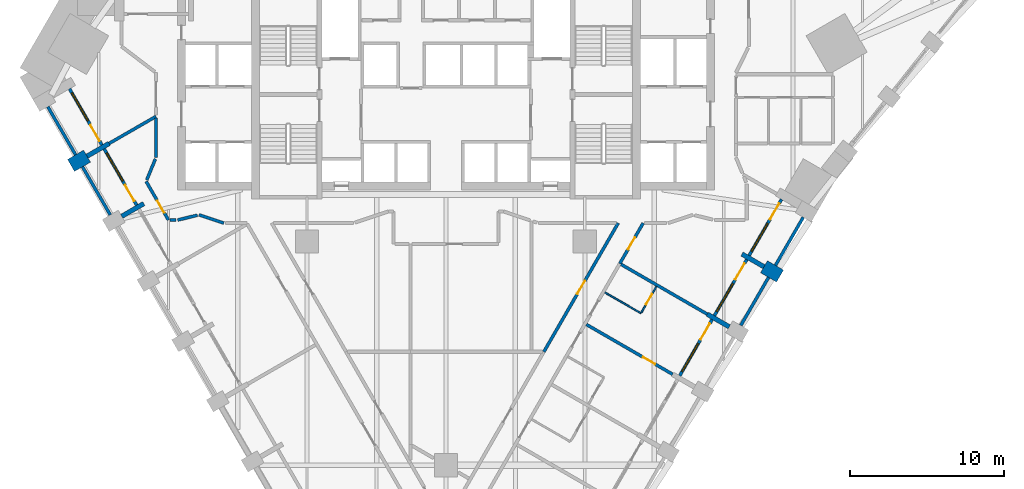
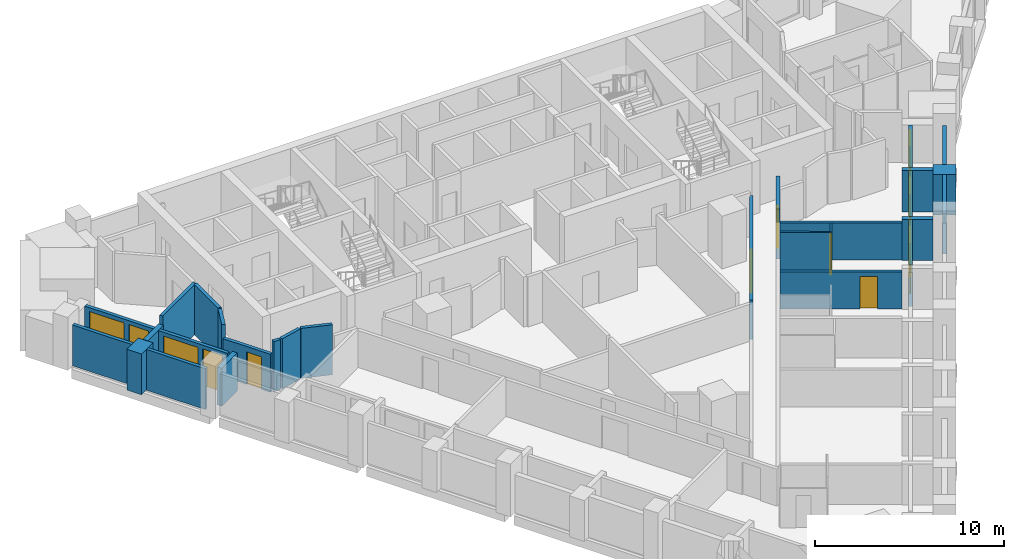
# One storey, part 5 of 11: 28 walls, 10 doors, 5 windows, 15 openings.
"""IFC4 building model written with IfcOpenShell, lengths in metres."""

from ifc_helpers import new_model, si_unit, direction, frame, frame_2d, origin, place, context, subcontext, project, spatial, polyline, rectangle, outline, extrude, material, layer, layer_set, type_object, element, fill, save


model = new_model("IFC4")

# Units and contexts
model_context = context("Model", 3, precision=1e-05, world=origin(), true_north=direction((0.0, 1.0)))
body_context = subcontext(model_context, "Body", "Model", "MODEL_VIEW")
ifc_project = project(units=[si_unit("LENGTHUNIT", "METRE"), si_unit("AREAUNIT", "SQUARE_METRE"), si_unit("VOLUMEUNIT", "CUBIC_METRE"), si_unit("PLANEANGLEUNIT", "RADIAN"), si_unit("MASSUNIT", "GRAM", prefix="KILO")], contexts=[model_context])

# Site, building, storey
site_placement = place(None, origin())
site = spatial("IfcSite", under=ifc_project, at=site_placement, CompositionType="ELEMENT")
building_placement = place(site_placement, origin())
building = spatial("IfcBuilding", under=site, at=building_placement, Name="Calabash Gate Tower", CompositionType="ELEMENT")
storey_placement = place(building_placement, frame((0.0, 0.0, 115.60009765625)))
storey = spatial("IfcBuildingStorey", under=building, at=storey_placement, Name="L26", CompositionType="ELEMENT", Elevation=115.60009765625)

# Walls
ifc_material_1 = material(Name="Terracotta brick masonry, exposed face", Category="masonry")
ifc_layer_1 = layer(ifc_material_1, 1.199951171875)
ifc_layer_set_1 = layer_set([ifc_layer_1], Name="Brick end wall 1200")
wall_type_1 = type_object("IfcWallType", Name="Brick end wall 1200", PredefinedType="SOLIDWALL", material=ifc_layer_set_1)
for number, where, z_axis, x_axis, name in (
    (1, (-24.30859375, 7.43896484375, 0.0), (0.0, 0.0, 1.0), (0.865955154139, 0.50012165622, 0.0), "Brick pier S07 SW0.1"),
    (2, (21.656494140625, 0.27197265625, 0.0), (0.0, 0.0, 1.0), (-0.866094119867, 0.499880961361, 0.0), "Brick pier S07 SE2.7"),
):
    element("IfcWall", number, at=place(storey_placement, frame(where, z_axis=z_axis, x_axis=x_axis)), inside=storey, type_object=wall_type_1, Name=name, PredefinedType="SOLIDWALL", context=body_context, shape_type="SweptSolid", body=[
        extrude(rectangle(XDim=1.199951171875, YDim=0.89990234375, at=frame_2d((0.60009765625, 0.0))), origin(), (0.0, 0.0, 1.0), 2.6298828125),
    ])
ifc_material_2 = material(Name="Terracotta brick masonry, exposed face", Category="masonry")
ifc_layer_2 = layer(ifc_material_2, 0.300048828125)
ifc_layer_set_2 = layer_set([ifc_layer_2], Name="Brick loggia cheek wall 300")
wall_type_2 = type_object("IfcWallType", Name="Brick loggia cheek wall 300", PredefinedType="SOLIDWALL", material=ifc_layer_set_2)
wall_1_placement = place(storey_placement, frame((-23.26953125, 8.0390625, 0.0), z_axis=(0.0, 0.0, 1.0), x_axis=(0.866040211805, 0.499974350878, 0.0)))
element("IfcWall", 3, at=wall_1_placement, inside=storey, type_object=wall_type_2, Name="Loggia cheek S07 SW0.1", PredefinedType="SOLIDWALL", context=body_context, shape_type="SweptSolid", body=[
    extrude(rectangle(XDim=1.64990234375, YDim=0.300048828125, at=frame_2d((0.824951171875, 0.0))), origin(), (0.0, 0.0, 1.0), 2.64990234375),
])
wall_2_placement = place(storey_placement, frame((-21.019287109375, 4.141845703125, 0.0), z_axis=(0.0, 0.0, 1.0), x_axis=(0.866003217194, 0.500038426333, 0.0)))
element("IfcWall", 4, at=wall_2_placement, inside=storey, type_object=wall_type_2, Name="Loggia cheek S07 SW0.2", PredefinedType="SOLIDWALL", context=body_context, shape_type="SweptSolid", body=[
    extrude(rectangle(XDim=1.649658203125, YDim=0.300048828125, at=frame_2d((0.82470703125, 0.0))), origin(), (0.0, 0.0, 1.0), 2.449951171875),
])
wall_3_placement = place(storey_placement, frame((18.366455078125, -3.024658203125, 0.0), z_axis=(0.0, 0.0, 1.0), x_axis=(-0.866057395165, 0.499944585209, 0.0)))
element("IfcWall", 5, at=wall_3_placement, inside=storey, type_object=wall_type_2, Name="Loggia cheek S07 SE2.6", PredefinedType="SOLIDWALL", context=body_context, shape_type="SweptSolid", body=[
    extrude(rectangle(XDim=1.649169921875, YDim=0.300048828125, at=frame_2d((0.82470703125, 0.0))), origin(), (0.0, 0.0, 1.0), 2.64990234375),
])
wall_4_placement = place(storey_placement, frame((20.6171875, 0.871826171875, 0.0), z_axis=(0.0, 0.0, 1.0), x_axis=(-0.866040211805, 0.499974350878, 0.0)))
element("IfcWall", 6, at=wall_4_placement, inside=storey, type_object=wall_type_2, Name="Loggia cheek S07 SE2.7", PredefinedType="SOLIDWALL", context=body_context, shape_type="SweptSolid", body=[
    extrude(rectangle(XDim=1.64990234375, YDim=0.300048828125, at=frame_2d((0.824951171875, 0.0))), origin(), (0.0, 0.0, 1.0), 2.64990234375),
])

# Wall, opening, door
ifc_material_3 = material(Name="Gypsum board on steel studs, mineral wool", Category="steel")
ifc_layer_3 = layer(ifc_material_3, 0.10009765625)
ifc_layer_set_3 = layer_set([ifc_layer_3], Name="Partition 100 gypsum board")
wall_type_3 = type_object("IfcWallType", Name="Partition 100 gypsum board", PredefinedType="PARTITIONING", material=ifc_layer_set_3)
wall_5_placement = place(storey_placement, frame((12.665771484375, -2.1005859375, 0.0), z_axis=(0.0, 0.0, 1.0), x_axis=(0.49995005938, 0.866054235095, 0.0)))
wall_5 = element("IfcWall", 7, at=wall_5_placement, inside=storey, type_object=wall_type_3, Name="Partition", PredefinedType="PARTITIONING", context=body_context, shape_type="SweptSolid", body=[
    extrude(rectangle(XDim=1.949951171875, YDim=0.10009765625, at=frame_2d((0.97509765625, 0.0))), origin(), (0.0, 0.0, 1.0), 2.384033203125),
])
opening_1_placement = place(wall_5_placement, frame((0.60009765625, 0.0, 0.0)))
opening_1 = element("IfcOpeningElement", 8, at=opening_1_placement, cuts=wall_5, Name="Opening 25-27-009", PredefinedType="OPENING", context=body_context, shape_type="SweptSolid", body=[
    extrude(rectangle(XDim=0.800048828125, YDim=2.10009765625, at=frame_2d((0.39990234375, 1.050048828125))), frame((0.0, 0.06005859375, 0.0), z_axis=(0.0, -1.0, 0.0), x_axis=(1.0, 0.0, 0.0)), (0.0, 0.0, 1.0), 0.1201171875),
])
ifc_material_4 = material(Name="Painted timber door", Category="wood")
door_type_1 = type_object("IfcDoorType", Name="GD5 En-suite door 800x2100", OperationType="NOTDEFINED", PredefinedType="DOOR", material=ifc_material_4)
door_1_placement = place(opening_1_placement, origin())
door_1 = element("IfcDoor", 9, at=door_1_placement, inside=storey, type_object=door_type_1, Name="En-suite door", OperationType="SINGLE_SWING_RIGHT", OverallHeight=2.10009765625, OverallWidth=0.800048828125, PredefinedType="DOOR", context=body_context, shape_type="SweptSolid", body=[
    extrude(rectangle(XDim=0.800048828125, YDim=2.10009765625, at=frame_2d((0.39990234375, 1.050048828125))), frame((0.0, 0.02490234375, 0.0), z_axis=(0.0, -1.0, 0.0), x_axis=(1.0, 0.0, 0.0)), (0.0, 0.0, 1.0), 0.050048828125),
])
fill(opening_1, door_1)

# Wall
wall_6_placement = place(storey_placement, frame((10.303466796875, -0.79248046875, 0.0), z_axis=(0.0, 0.0, 1.0), x_axis=(0.86571095196, -0.500544251447, 0.0)))
element("IfcWall", 10, at=wall_6_placement, inside=storey, type_object=wall_type_3, Name="Partition", PredefinedType="PARTITIONING", context=body_context, shape_type="SweptSolid", body=[
    extrude(rectangle(XDim=2.69970703125, YDim=0.10009765625, at=frame_2d((1.349853515625, 0.0))), origin(), (0.0, 0.0, 1.0), 3.22998046875),
])

# Wall, opening, door
ifc_material_5 = material(Name="Gypsum board on steel studs, mineral wool", Category="steel")
ifc_layer_4 = layer(ifc_material_5, 0.199951171875)
ifc_layer_set_4 = layer_set([ifc_layer_4], Name="Partition 200 gypsum board EI 60")
wall_type_4 = type_object("IfcWallType", Name="Partition 200 gypsum board EI 60", PredefinedType="PARTITIONING", material=ifc_layer_set_4)
wall_7_placement = place(storey_placement, frame((6.347900390625, -4.639404296875, 0.0), z_axis=(0.0, 0.0, 1.0), x_axis=(0.500160597015, 0.865932663198, 0.0)))
wall_7 = element("IfcWall", 11, at=wall_7_placement, inside=storey, type_object=wall_type_4, Name="Partition", PredefinedType="PARTITIONING", context=body_context, shape_type="SweptSolid", body=[
    extrude(rectangle(XDim=9.630126953125, YDim=0.199951171875, at=frame_2d((4.81494140625, 0.0))), origin(), (0.0, 0.0, 1.0), 2.5517578125),
])
opening_2_placement = place(wall_7_placement, frame((4.314697265625, 0.0, 0.0)))
opening_2 = element("IfcOpeningElement", 12, at=opening_2_placement, cuts=wall_7, Name="Opening 25-27-013", PredefinedType="OPENING", context=body_context, shape_type="SweptSolid", body=[
    extrude(rectangle(XDim=1.0, YDim=2.10009765625, at=frame_2d((0.5, 1.050048828125))), frame((0.0, 0.10986328125, 0.0), z_axis=(0.0, -1.0, 0.0), x_axis=(1.0, 0.0, 0.0)), (0.0, 0.0, 1.0), 0.219970703125),
])
ifc_material_6 = material(Name="Steel fire door set with fire-resisting glazing", Category="steel")
door_type_2 = type_object("IfcDoorType", Name="LD2 Meeting room door 1000x2100", OperationType="NOTDEFINED", PredefinedType="DOOR", material=ifc_material_6)
door_2_placement = place(opening_2_placement, origin())
door_2 = element("IfcDoor", 13, at=door_2_placement, inside=storey, type_object=door_type_2, Name="Meeting room door", OperationType="SINGLE_SWING_LEFT", OverallHeight=2.10009765625, OverallWidth=1.0, PredefinedType="DOOR", context=body_context, shape_type="SweptSolid", body=[
    extrude(rectangle(XDim=1.0, YDim=2.10009765625, at=frame_2d((0.5, 1.050048828125))), frame((0.0, 0.02490234375, 0.0), z_axis=(0.0, -1.0, 0.0), x_axis=(1.0, 0.0, 0.0)), (0.0, 0.0, 1.0), 0.050048828125),
])
fill(opening_2, door_2)

wall_8_placement = place(storey_placement, frame((9.103515625, -2.870849609375, 0.0), z_axis=(0.0, 0.0, 1.0), x_axis=(0.865901871826, -0.500213902613, 0.0)))
wall_8 = element("IfcWall", 14, at=wall_8_placement, inside=storey, type_object=wall_type_4, Name="Partition", PredefinedType="PARTITIONING", context=body_context, shape_type="SweptSolid", body=[
    extrude(rectangle(XDim=6.449951171875, YDim=0.199951171875, at=frame_2d((3.22509765625, 0.0))), origin(), (0.0, 0.0, 1.0), 2.384033203125),
])
opening_3_placement = place(wall_8_placement, frame((4.249755859375, 0.0, 0.0)))
opening_3 = element("IfcOpeningElement", 15, at=opening_3_placement, cuts=wall_8, Name="Opening 25-27-010", PredefinedType="OPENING", context=body_context, shape_type="SweptSolid", body=[
    extrude(rectangle(XDim=0.89990234375, YDim=2.10009765625, at=frame_2d((0.449951171875, 1.050048828125))), frame((0.0, 0.10986328125, 0.0), z_axis=(0.0, -1.0, 0.0), x_axis=(1.0, 0.0, 0.0)), (0.0, 0.0, 1.0), 0.219970703125),
])
ifc_material_7 = material(Name="Steel fire door set with fire-resisting glazing", Category="steel")
door_type_3 = type_object("IfcDoorType", Name="GD4 Connecting door 900x2100", OperationType="NOTDEFINED", PredefinedType="DOOR", material=ifc_material_7)
door_3_placement = place(opening_3_placement, origin())
door_3 = element("IfcDoor", 16, at=door_3_placement, inside=storey, type_object=door_type_3, Name="Connecting door", OperationType="SINGLE_SWING_RIGHT", OverallHeight=2.10009765625, OverallWidth=0.89990234375, PredefinedType="DOOR", context=body_context, shape_type="SweptSolid", body=[
    extrude(rectangle(XDim=0.89990234375, YDim=2.10009765625, at=frame_2d((0.449951171875, 1.050048828125))), frame((0.0, 0.02490234375, 0.0), z_axis=(0.0, -1.0, 0.0), x_axis=(1.0, 0.0, 0.0)), (0.0, 0.0, 1.0), 0.050048828125),
])
fill(opening_3, door_3)

# Walls
wall_9_placement = place(storey_placement, frame((11.355224609375, 1.025390625, 0.0), z_axis=(0.0, 0.0, 1.0), x_axis=(0.865748417306, -0.500479448062, 0.0)))
element("IfcWall", 17, at=wall_9_placement, inside=storey, type_object=wall_type_4, Name="Partition", PredefinedType="PARTITIONING", context=body_context, shape_type="SweptSolid", body=[
    extrude(rectangle(XDim=6.447998046875, YDim=0.199951171875, at=frame_2d((3.22412109375, 0.0))), origin(), (0.0, 0.0, 1.0), 2.384033203125),
])
wall_10_placement = place(storey_placement, frame((-16.01611328125, 4.23828125, 0.0), z_axis=(0.0, 0.0, 1.0), x_axis=(0.948654629562, -0.31631375849, 0.0)))
element("IfcWall", 18, at=wall_10_placement, inside=storey, type_object=wall_type_4, Name="Partition", PredefinedType="PARTITIONING", context=body_context, shape_type="SweptSolid", body=[
    extrude(rectangle(XDim=1.703369140625, YDim=0.199951171875, at=frame_2d((0.8515625, 0.0))), origin(), (0.0, 0.0, 1.0), 3.22998046875),
])

# Wall, opening, door
wall_11_placement = place(storey_placement, frame((11.2685546875, 1.075439453125, 0.0), z_axis=(0.0, 0.0, 1.0), x_axis=(0.499554983499, 0.866282181775, 0.0)))
wall_11 = element("IfcWall", 19, at=wall_11_placement, inside=storey, type_object=wall_type_4, Name="Partition", PredefinedType="PARTITIONING", context=body_context, shape_type="SweptSolid", body=[
    extrude(rectangle(XDim=3.029052734375, YDim=0.199951171875, at=frame_2d((1.5146484375, 0.0))), origin(), (0.0, 0.0, 1.0), 3.22998046875),
])
opening_4_placement = place(wall_11_placement, frame((1.063720703125, 0.0, 0.0)))
opening_4 = element("IfcOpeningElement", 20, at=opening_4_placement, cuts=wall_11, Name="Opening 25-27-025", PredefinedType="OPENING", context=body_context, shape_type="SweptSolid", body=[
    extrude(rectangle(XDim=0.89990234375, YDim=2.10009765625, at=frame_2d((0.449951171875, 1.050048828125))), frame((0.0, 0.10986328125, 0.0), z_axis=(0.0, -1.0, 0.0), x_axis=(1.0, 0.0, 0.0)), (0.0, 0.0, 1.0), 0.219970703125),
])
ifc_material_8 = material(Name="Steel fire door set with fire-resisting glazing", Category="steel")
door_type_4 = type_object("IfcDoorType", Name="SD3 Store door 900x2100", OperationType="NOTDEFINED", PredefinedType="DOOR", material=ifc_material_8)
door_4_placement = place(opening_4_placement, origin())
door_4 = element("IfcDoor", 21, at=door_4_placement, inside=storey, type_object=door_type_4, Name="Store door", OperationType="SINGLE_SWING_RIGHT", OverallHeight=2.10009765625, OverallWidth=0.89990234375, PredefinedType="DOOR", context=body_context, shape_type="SweptSolid", body=[
    extrude(rectangle(XDim=0.89990234375, YDim=2.10009765625, at=frame_2d((0.449951171875, 1.050048828125))), frame((0.0, 0.02490234375, 0.0), z_axis=(0.0, -1.0, 0.0), x_axis=(1.0, 0.0, 0.0)), (0.0, 0.0, 1.0), 0.050048828125),
])
fill(opening_4, door_4)

wall_12_placement = place(storey_placement, frame((-19.438720703125, 6.403076171875, 0.0), z_axis=(0.0, 0.0, 1.0), x_axis=(0.500017289984, -0.866015421177, 0.0)))
wall_12 = element("IfcWall", 22, at=wall_12_placement, inside=storey, type_object=wall_type_4, Name="Partition", PredefinedType="PARTITIONING", context=body_context, shape_type="SweptSolid", body=[
    extrude(rectangle(XDim=2.89111328125, YDim=0.199951171875, at=frame_2d((1.445556640625, 0.0))), origin(), (0.0, 0.0, 1.0), 2.449951171875),
])
opening_5_placement = place(wall_12_placement, frame((1.445556640625, 0.0, 0.0)))
opening_5 = element("IfcOpeningElement", 23, at=opening_5_placement, cuts=wall_12, Name="Opening 25-27-023", PredefinedType="OPENING", context=body_context, shape_type="SweptSolid", body=[
    extrude(rectangle(XDim=0.89990234375, YDim=2.10009765625, at=frame_2d((0.449951171875, 1.050048828125))), frame((0.0, 0.10986328125, 0.0), z_axis=(0.0, -1.0, 0.0), x_axis=(1.0, 0.0, 0.0)), (0.0, 0.0, 1.0), 0.219970703125),
])
door_5_placement = place(opening_5_placement, origin())
door_5 = element("IfcDoor", 24, at=door_5_placement, inside=storey, type_object=door_type_4, Name="Store door", OperationType="SINGLE_SWING_RIGHT", OverallHeight=2.10009765625, OverallWidth=0.89990234375, PredefinedType="DOOR", context=body_context, shape_type="SweptSolid", body=[
    extrude(rectangle(XDim=0.89990234375, YDim=2.10009765625, at=frame_2d((0.449951171875, 1.050048828125))), frame((0.0, 0.02490234375, 0.0), z_axis=(0.0, -1.0, 0.0), x_axis=(1.0, 0.0, 0.0)), (0.0, 0.0, 1.0), 0.050048828125),
])
fill(opening_5, door_5)

# Walls
wall_13_placement = place(storey_placement, frame((-17.893310546875, 3.8994140625, 0.0), z_axis=(0.0, 0.0, 1.0), x_axis=(1.0, 0.0, 0.0)))
element("IfcWall", 25, at=wall_13_placement, inside=storey, type_object=wall_type_4, Name="Partition", PredefinedType="PARTITIONING", context=body_context, shape_type="SweptSolid", body=[
    extrude(rectangle(XDim=0.393310546875, YDim=0.199951171875, at=frame_2d((0.19677734375, 0.0))), origin(), (0.0, 0.0, 1.0), 3.22998046875),
])
wall_14_placement = place(storey_placement, frame((-17.39990234375, 3.8994140625, 0.0), z_axis=(0.0, 0.0, 1.0), x_axis=(0.971323377413, 0.237762268854, 0.0)))
element("IfcWall", 26, at=wall_14_placement, inside=storey, type_object=wall_type_4, Name="Partition", PredefinedType="PARTITIONING", context=body_context, shape_type="SweptSolid", body=[
    extrude(rectangle(XDim=1.32470703125, YDim=0.199951171875, at=frame_2d((0.662353515625, 0.0))), origin(), (0.0, 0.0, 1.0), 3.22998046875),
])
wall_15_placement = place(storey_placement, frame((-19.400390625, 6.49560546875, 0.0), z_axis=(0.0, 0.0, 1.0), x_axis=(0.380699876076, 0.924698655971, 0.0)))
element("IfcWall", 27, at=wall_15_placement, inside=storey, type_object=wall_type_4, Name="Partition", PredefinedType="PARTITIONING", context=body_context, shape_type="SweptSolid", body=[
    extrude(rectangle(XDim=1.4755859375, YDim=0.199951171875, at=frame_2d((0.73779296875, 0.0))), origin(), (0.0, 0.0, 1.0), 3.22998046875),
])
wall_16_placement = place(storey_placement, frame((-18.802001953125, 10.51806640625, 0.0), z_axis=(0.0, 0.0, 1.0), x_axis=(0.000570993436, -0.999999836983, 0.0)))
element("IfcWall", 28, at=wall_16_placement, inside=storey, type_object=wall_type_4, Name="Partition", PredefinedType="PARTITIONING", context=body_context, shape_type="SweptSolid", body=[
    extrude(rectangle(XDim=2.5654296875, YDim=0.199951171875, at=frame_2d((1.28271484375, 0.0))), origin(), (0.0, 0.0, 1.0), 3.22998046875),
])
wall_17_placement = place(storey_placement, frame((-21.84033203125, 8.86376953125, 0.0), z_axis=(0.0, 0.0, 1.0), x_axis=(0.866284025074, 0.499551787007, 0.0)))
element("IfcWall", 29, at=wall_17_placement, inside=storey, type_object=wall_type_4, Name="Partition", PredefinedType="PARTITIONING", context=body_context, shape_type="SweptSolid", body=[
    extrude(rectangle(XDim=3.509033203125, YDim=0.199951171875, at=frame_2d((1.75439453125, 0.0))), origin(), (0.0, 0.0, 1.0), 3.22998046875),
])
ifc_material_9 = material(Name="Terracotta brick masonry, perforated", Category="masonry")
ifc_layer_5 = layer(ifc_material_9, 0.199951171875)
ifc_layer_set_5 = layer_set([ifc_layer_5], Name="Terracotta jaali screen A")
wall_type_5 = type_object("IfcWallType", Name="Terracotta jaali screen A", PredefinedType="SOLIDWALL", material=ifc_layer_set_5)
for number, where, z_axis, x_axis, name in (
    (30, (-25.81396484375, 11.246337890625, 0.0), (0.0, 0.0, 1.0), (0.500012057535, -0.866018442252, 0.0), "SCREEN A S07 SW0.1"),
    (31, (-23.56396484375, 7.34912109375, 0.0), (0.0, 0.0, 1.0), (0.500012057535, -0.866018442252, 0.0), "SCREEN A S07 SW0.2"),
):
    element("IfcWall", number, at=place(storey_placement, frame(where, z_axis=z_axis, x_axis=x_axis)), inside=storey, type_object=wall_type_5, Name=name, PredefinedType="SOLIDWALL", context=body_context, shape_type="SweptSolid", body=[
        extrude(rectangle(XDim=3.60009765625, YDim=0.199951171875, at=frame_2d((1.800048828125, 0.0))), origin(), (0.0, 0.0, 1.0), 2.6298828125),
    ])
wall_18_placement = place(storey_placement, origin())
element("IfcWall", 32, at=wall_18_placement, inside=storey, type_object=wall_type_5, Name="SCREEN A S07 SE2.7", PredefinedType="SOLIDWALL", context=body_context, shape_type="SweptSolid", body=[
    extrude(outline(polyline([(20.8251953125, 0.232177734375), (19.0263671875, -2.8837890625), (19.199462890625, -2.98388671875), (20.99853515625, 0.132080078125), (20.8251953125, 0.232177734375)])), origin(), (0.0, 0.0, 1.0), 2.6298828125),
])
wall_19_placement = place(storey_placement, frame((21.36181640625, 0.961669921875, 0.0), z_axis=(0.0, 0.0, 1.0), x_axis=(0.500012057535, 0.866018442252, 0.0)))
element("IfcWall", 33, at=wall_19_placement, inside=storey, type_object=wall_type_5, Name="SCREEN A S07 SE2.8", PredefinedType="SOLIDWALL", context=body_context, shape_type="SweptSolid", body=[
    extrude(rectangle(XDim=3.60009765625, YDim=0.199951171875, at=frame_2d((1.800048828125, 0.0))), origin(), (0.0, 0.0, 1.0), 2.6298828125),
])

# Wall, openings, door, window
ifc_material_10 = material(Name="Aluminium framed window wall with insulated spandrel", Category="aluminium")
ifc_layer_6 = layer(ifc_material_10, 0.199951171875)
ifc_layer_set_6 = layer_set([ifc_layer_6], Name="Window wall 200")
wall_type_6 = type_object("IfcWallType", Name="Window wall 200", PredefinedType="ELEMENTEDWALL", material=ifc_layer_set_6)
wall_20_placement = place(storey_placement, frame((-24.4052734375, 12.40625, 0.0), z_axis=(0.0, 0.0, 1.0), x_axis=(0.500002543286, -0.866023935413, 0.0)))
wall_20 = element("IfcWall", 34, at=wall_20_placement, inside=storey, type_object=wall_type_6, Name="Window wall S07 SW0.1", PredefinedType="ELEMENTEDWALL", context=body_context, shape_type="SweptSolid", body=[
    extrude(rectangle(XDim=4.2001953125, YDim=0.199951171875, at=frame_2d((2.10009765625, 0.0))), origin(), (0.0, 0.0, 1.0), 2.64990234375),
])
opening_6_placement = place(wall_20_placement, frame((0.300048828125, 0.0, 0.60009765625)))
opening_6 = element("IfcOpeningElement", 35, at=opening_6_placement, cuts=wall_20, Name="Opening HW1", PredefinedType="OPENING", context=body_context, shape_type="SweptSolid", body=[
    extrude(rectangle(XDim=2.10009765625, YDim=1.800048828125, at=frame_2d((1.050048828125, 0.89990234375))), frame((0.0, 0.10986328125, 0.0), z_axis=(0.0, -1.0, 0.0), x_axis=(1.0, 0.0, 0.0)), (0.0, 0.0, 1.0), 0.219970703125),
])
opening_7_placement = place(wall_20_placement, frame((2.699951171875, 0.0, 0.0)))
opening_7 = element("IfcOpeningElement", 36, at=opening_7_placement, cuts=wall_20, Name="Opening H7-024", PredefinedType="OPENING", context=body_context, shape_type="SweptSolid", body=[
    extrude(rectangle(XDim=1.199951171875, YDim=2.39990234375, at=frame_2d((0.60009765625, 1.199951171875))), frame((0.0, 0.10986328125, 0.0), z_axis=(0.0, -1.0, 0.0), x_axis=(1.0, 0.0, 0.0)), (0.0, 0.0, 1.0), 0.219970703125),
])
ifc_material_11 = material(Name="Anodised aluminium frame, bronze finish, impact-rated laminated clear glazing", Category="aluminium")
door_type_5 = type_object("IfcDoorType", Name="Loggia door DH1 1200x2400", OperationType="SLIDING_TO_LEFT", PredefinedType="DOOR", material=ifc_material_11)
door_6_placement = place(opening_7_placement, origin())
door_6 = element("IfcDoor", 37, at=door_6_placement, inside=storey, type_object=door_type_5, Name="Loggia door S07 SW0.1", OperationType="SINGLE_SWING_LEFT", OverallHeight=2.39990234375, OverallWidth=1.199951171875, PredefinedType="DOOR", context=body_context, shape_type="SweptSolid", body=[
    extrude(rectangle(XDim=1.199951171875, YDim=2.39990234375, at=frame_2d((0.60009765625, 1.199951171875))), frame((0.0, 0.02490234375, 0.0), z_axis=(0.0, -1.0, 0.0), x_axis=(1.0, 0.0, 0.0)), (0.0, 0.0, 1.0), 0.050048828125),
])
fill(opening_7, door_6)
ifc_material_12 = material(Name="Anodised aluminium frame, bronze finish, impact-rated laminated clear glazing", Category="aluminium")
window_type_1 = type_object("IfcWindowType", Name="Window HW1 2100x1800", PartitioningType="DOUBLE_PANEL_VERTICAL", PredefinedType="WINDOW", material=ifc_material_12)
window_1_placement = place(opening_6_placement, origin())
window_1 = element("IfcWindow", 38, at=window_1_placement, inside=storey, type_object=window_type_1, Name="Window HW1 S07 SW0.1", OverallHeight=1.800048828125, OverallWidth=2.10009765625, PartitioningType="SINGLE_PANEL", PredefinedType="WINDOW", context=body_context, shape_type="SweptSolid", body=[
    extrude(rectangle(XDim=2.10009765625, YDim=1.800048828125, at=frame_2d((1.050048828125, 0.89990234375))), frame((0.0, 0.030029296875, 0.0), z_axis=(0.0, -1.0, 0.0), x_axis=(1.0, 0.0, 0.0)), (0.0, 0.0, 1.0), 0.06005859375),
])
fill(opening_6, window_1)

wall_21_placement = place(storey_placement, frame((-22.1552734375, 8.509033203125, 0.0), z_axis=(0.0, 0.0, 1.0), x_axis=(0.500027713859, -0.866009402589, 0.0)))
wall_21 = element("IfcWall", 39, at=wall_21_placement, inside=storey, type_object=wall_type_6, Name="Window wall S07 SW0.2", PredefinedType="ELEMENTEDWALL", context=body_context, shape_type="SweptSolid", body=[
    extrude(rectangle(XDim=4.199951171875, YDim=0.199951171875, at=frame_2d((2.10009765625, 0.0))), origin(), (0.0, 0.0, 1.0), 2.64990234375),
])
opening_8_placement = place(wall_21_placement, frame((0.300048828125, 0.0, 0.60009765625)))
opening_8 = element("IfcOpeningElement", 40, at=opening_8_placement, cuts=wall_21, Name="Opening HW1", PredefinedType="OPENING", context=body_context, shape_type="SweptSolid", body=[
    extrude(rectangle(XDim=2.10009765625, YDim=1.800048828125, at=frame_2d((1.050048828125, 0.89990234375))), frame((0.0, 0.10986328125, 0.0), z_axis=(0.0, -1.0, 0.0), x_axis=(1.0, 0.0, 0.0)), (0.0, 0.0, 1.0), 0.219970703125),
])
opening_9_placement = place(wall_21_placement, frame((2.699951171875, 0.0, 0.0)))
opening_9 = element("IfcOpeningElement", 41, at=opening_9_placement, cuts=wall_21, Name="Opening H7-025", PredefinedType="OPENING", context=body_context, shape_type="SweptSolid", body=[
    extrude(rectangle(XDim=1.199951171875, YDim=2.39990234375, at=frame_2d((0.60009765625, 1.199951171875))), frame((0.0, 0.10986328125, 0.0), z_axis=(0.0, -1.0, 0.0), x_axis=(1.0, 0.0, 0.0)), (0.0, 0.0, 1.0), 0.219970703125),
])
door_7_placement = place(opening_9_placement, origin())
door_7 = element("IfcDoor", 42, at=door_7_placement, inside=storey, type_object=door_type_5, Name="Loggia door S07 SW0.2", OperationType="SINGLE_SWING_LEFT", OverallHeight=2.39990234375, OverallWidth=1.199951171875, PredefinedType="DOOR", context=body_context, shape_type="SweptSolid", body=[
    extrude(rectangle(XDim=1.199951171875, YDim=2.39990234375, at=frame_2d((0.60009765625, 1.199951171875))), frame((0.0, 0.02490234375, 0.0), z_axis=(0.0, -1.0, 0.0), x_axis=(1.0, 0.0, 0.0)), (0.0, 0.0, 1.0), 0.050048828125),
])
fill(opening_9, door_7)
window_2_placement = place(opening_8_placement, origin())
window_2 = element("IfcWindow", 43, at=window_2_placement, inside=storey, type_object=window_type_1, Name="Window HW1 S07 SW0.2", OverallHeight=1.800048828125, OverallWidth=2.10009765625, PartitioningType="SINGLE_PANEL", PredefinedType="WINDOW", context=body_context, shape_type="SweptSolid", body=[
    extrude(rectangle(XDim=2.10009765625, YDim=1.800048828125, at=frame_2d((1.050048828125, 0.89990234375))), frame((0.0, 0.030029296875, 0.0), z_axis=(0.0, -1.0, 0.0), x_axis=(1.0, 0.0, 0.0)), (0.0, 0.0, 1.0), 0.06005859375),
])
fill(opening_8, window_2)

wall_22_placement = place(storey_placement, frame((15.153076171875, -6.1923828125, 0.0), z_axis=(0.0, 0.0, 1.0), x_axis=(0.49998411664, 0.866034573852, 0.0)))
wall_22 = element("IfcWall", 44, at=wall_22_placement, inside=storey, type_object=wall_type_6, Name="Window wall S07 SE2.6", PredefinedType="ELEMENTEDWALL", context=body_context, shape_type="SweptSolid", body=[
    extrude(rectangle(XDim=4.199951171875, YDim=0.199951171875, at=frame_2d((2.10009765625, 0.0))), origin(), (0.0, 0.0, 1.0), 2.64990234375),
])
opening_10_placement = place(wall_22_placement, frame((0.300048828125, 0.0, 0.60009765625)))
opening_10 = element("IfcOpeningElement", 45, at=opening_10_placement, cuts=wall_22, Name="Opening HW1", PredefinedType="OPENING", context=body_context, shape_type="SweptSolid", body=[
    extrude(rectangle(XDim=2.10009765625, YDim=1.800048828125, at=frame_2d((1.050048828125, 0.89990234375))), frame((0.0, 0.10986328125, 0.0), z_axis=(0.0, -1.0, 0.0), x_axis=(1.0, 0.0, 0.0)), (0.0, 0.0, 1.0), 0.219970703125),
])
opening_11_placement = place(wall_22_placement, frame((2.699951171875, 0.0, 0.0)))
opening_11 = element("IfcOpeningElement", 46, at=opening_11_placement, cuts=wall_22, Name="Opening H7-021", PredefinedType="OPENING", context=body_context, shape_type="SweptSolid", body=[
    extrude(rectangle(XDim=1.199951171875, YDim=2.39990234375, at=frame_2d((0.60009765625, 1.199951171875))), frame((0.0, 0.10986328125, 0.0), z_axis=(0.0, -1.0, 0.0), x_axis=(1.0, 0.0, 0.0)), (0.0, 0.0, 1.0), 0.219970703125),
])
door_8_placement = place(opening_11_placement, origin())
door_8 = element("IfcDoor", 47, at=door_8_placement, inside=storey, type_object=door_type_5, Name="Loggia door S07 SE2.6", OperationType="SINGLE_SWING_LEFT", OverallHeight=2.39990234375, OverallWidth=1.199951171875, PredefinedType="DOOR", context=body_context, shape_type="SweptSolid", body=[
    extrude(rectangle(XDim=1.199951171875, YDim=2.39990234375, at=frame_2d((0.60009765625, 1.199951171875))), frame((0.0, 0.02490234375, 0.0), z_axis=(0.0, -1.0, 0.0), x_axis=(1.0, 0.0, 0.0)), (0.0, 0.0, 1.0), 0.050048828125),
])
fill(opening_11, door_8)
window_3_placement = place(opening_10_placement, origin())
window_3 = element("IfcWindow", 48, at=window_3_placement, inside=storey, type_object=window_type_1, Name="Window HW1 S07 SE2.6", OverallHeight=1.800048828125, OverallWidth=2.10009765625, PartitioningType="SINGLE_PANEL", PredefinedType="WINDOW", context=body_context, shape_type="SweptSolid", body=[
    extrude(rectangle(XDim=2.10009765625, YDim=1.800048828125, at=frame_2d((1.050048828125, 0.89990234375))), frame((0.0, 0.030029296875, 0.0), z_axis=(0.0, -1.0, 0.0), x_axis=(1.0, 0.0, 0.0)), (0.0, 0.0, 1.0), 0.06005859375),
])
fill(opening_10, window_3)

wall_23_placement = place(storey_placement, frame((17.403076171875, -2.29541015625, 0.0), z_axis=(0.0, 0.0, 1.0), x_axis=(0.499958946799, 0.866049104564, 0.0)))
wall_23 = element("IfcWall", 49, at=wall_23_placement, inside=storey, type_object=wall_type_6, Name="Window wall S07 SE2.7", PredefinedType="ELEMENTEDWALL", context=body_context, shape_type="SweptSolid", body=[
    extrude(rectangle(XDim=4.199951171875, YDim=0.199951171875, at=frame_2d((2.10009765625, 0.0))), origin(), (0.0, 0.0, 1.0), 2.64990234375),
])
opening_12_placement = place(wall_23_placement, frame((0.300048828125, 0.0, 0.60009765625)))
opening_12 = element("IfcOpeningElement", 50, at=opening_12_placement, cuts=wall_23, Name="Opening HW1", PredefinedType="OPENING", context=body_context, shape_type="SweptSolid", body=[
    extrude(rectangle(XDim=2.10009765625, YDim=1.800048828125, at=frame_2d((1.050048828125, 0.89990234375))), frame((0.0, 0.10986328125, 0.0), z_axis=(0.0, -1.0, 0.0), x_axis=(1.0, 0.0, 0.0)), (0.0, 0.0, 1.0), 0.219970703125),
])
opening_13_placement = place(wall_23_placement, frame((2.699951171875, 0.0, 0.0)))
opening_13 = element("IfcOpeningElement", 51, at=opening_13_placement, cuts=wall_23, Name="Opening H7-022", PredefinedType="OPENING", context=body_context, shape_type="SweptSolid", body=[
    extrude(rectangle(XDim=1.199951171875, YDim=2.39990234375, at=frame_2d((0.60009765625, 1.199951171875))), frame((0.0, 0.10986328125, 0.0), z_axis=(0.0, -1.0, 0.0), x_axis=(1.0, 0.0, 0.0)), (0.0, 0.0, 1.0), 0.219970703125),
])
door_9_placement = place(opening_13_placement, origin())
door_9 = element("IfcDoor", 52, at=door_9_placement, inside=storey, type_object=door_type_5, Name="Loggia door S07 SE2.7", OperationType="SINGLE_SWING_LEFT", OverallHeight=2.39990234375, OverallWidth=1.199951171875, PredefinedType="DOOR", context=body_context, shape_type="SweptSolid", body=[
    extrude(rectangle(XDim=1.199951171875, YDim=2.39990234375, at=frame_2d((0.60009765625, 1.199951171875))), frame((0.0, 0.02490234375, 0.0), z_axis=(0.0, -1.0, 0.0), x_axis=(1.0, 0.0, 0.0)), (0.0, 0.0, 1.0), 0.050048828125),
])
fill(opening_13, door_9)
window_4_placement = place(opening_12_placement, origin())
window_4 = element("IfcWindow", 53, at=window_4_placement, inside=storey, type_object=window_type_1, Name="Window HW1 S07 SE2.7", OverallHeight=1.800048828125, OverallWidth=2.10009765625, PartitioningType="SINGLE_PANEL", PredefinedType="WINDOW", context=body_context, shape_type="SweptSolid", body=[
    extrude(rectangle(XDim=2.10009765625, YDim=1.800048828125, at=frame_2d((1.050048828125, 0.89990234375))), frame((0.0, 0.030029296875, 0.0), z_axis=(0.0, -1.0, 0.0), x_axis=(1.0, 0.0, 0.0)), (0.0, 0.0, 1.0), 0.06005859375),
])
fill(opening_12, window_4)

wall_24_placement = place(storey_placement, frame((19.653076171875, 1.601806640625, 0.0), z_axis=(0.0, 0.0, 1.0), x_axis=(0.49998411664, 0.866034573852, 0.0)))
wall_24 = element("IfcWall", 54, at=wall_24_placement, inside=storey, type_object=wall_type_6, Name="Window wall S07 SE2.8", PredefinedType="ELEMENTEDWALL", context=body_context, shape_type="SweptSolid", body=[
    extrude(rectangle(XDim=4.199951171875, YDim=0.199951171875, at=frame_2d((2.10009765625, 0.0))), origin(), (0.0, 0.0, 1.0), 2.449951171875),
])
opening_14_placement = place(wall_24_placement, frame((0.300048828125, 0.0, 0.60009765625)))
opening_14 = element("IfcOpeningElement", 55, at=opening_14_placement, cuts=wall_24, Name="Opening HW1L-1750", PredefinedType="OPENING", context=body_context, shape_type="SweptSolid", body=[
    extrude(rectangle(XDim=2.10009765625, YDim=1.75, at=frame_2d((1.050048828125, 0.875))), frame((0.0, 0.10986328125, 0.0), z_axis=(0.0, -1.0, 0.0), x_axis=(1.0, 0.0, 0.0)), (0.0, 0.0, 1.0), 0.219970703125),
])
opening_15_placement = place(wall_24_placement, frame((2.699951171875, 0.0, 0.0)))
opening_15 = element("IfcOpeningElement", 56, at=opening_15_placement, cuts=wall_24, Name="Opening H7-023", PredefinedType="OPENING", context=body_context, shape_type="SweptSolid", body=[
    extrude(rectangle(XDim=1.199951171875, YDim=2.35009765625, at=frame_2d((0.60009765625, 1.175048828125))), frame((0.0, 0.10986328125, 0.0), z_axis=(0.0, -1.0, 0.0), x_axis=(1.0, 0.0, 0.0)), (0.0, 0.0, 1.0), 0.219970703125),
])
ifc_material_13 = material(Name="Anodised aluminium frame, bronze finish, impact-rated laminated clear glazing", Category="aluminium")
door_type_6 = type_object("IfcDoorType", Name="Loggia door DH1L-2350 1200x2350", OperationType="SLIDING_TO_LEFT", PredefinedType="DOOR", material=ifc_material_13)
door_10_placement = place(opening_15_placement, origin())
door_10 = element("IfcDoor", 57, at=door_10_placement, inside=storey, type_object=door_type_6, Name="Loggia door S07 SE2.8", OperationType="SINGLE_SWING_LEFT", OverallHeight=2.35009765625, OverallWidth=1.199951171875, PredefinedType="DOOR", context=body_context, shape_type="SweptSolid", body=[
    extrude(rectangle(XDim=1.199951171875, YDim=2.35009765625, at=frame_2d((0.60009765625, 1.175048828125))), frame((0.0, 0.02490234375, 0.0), z_axis=(0.0, -1.0, 0.0), x_axis=(1.0, 0.0, 0.0)), (0.0, 0.0, 1.0), 0.050048828125),
])
fill(opening_15, door_10)
ifc_material_14 = material(Name="Anodised aluminium frame, bronze finish, impact-rated laminated clear glazing", Category="aluminium")
window_type_2 = type_object("IfcWindowType", Name="Window HW1L 2100x1750", PartitioningType="DOUBLE_PANEL_VERTICAL", PredefinedType="WINDOW", material=ifc_material_14)
window_5_placement = place(opening_14_placement, origin())
window_5 = element("IfcWindow", 58, at=window_5_placement, inside=storey, type_object=window_type_2, Name="Window HW1 S07 SE2.8", OverallHeight=1.75, OverallWidth=2.10009765625, PartitioningType="SINGLE_PANEL", PredefinedType="WINDOW", context=body_context, shape_type="SweptSolid", body=[
    extrude(rectangle(XDim=2.10009765625, YDim=1.75, at=frame_2d((1.050048828125, 0.875))), frame((0.0, 0.030029296875, 0.0), z_axis=(0.0, -1.0, 0.0), x_axis=(1.0, 0.0, 0.0)), (0.0, 0.0, 1.0), 0.06005859375),
])
fill(opening_14, window_5)

save(model, "model.ifc")
